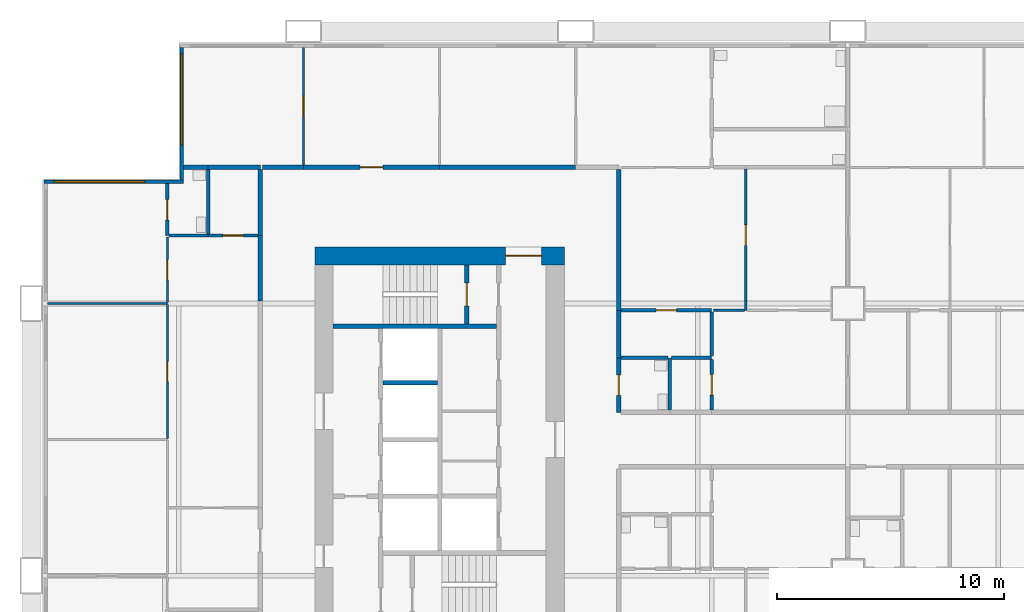
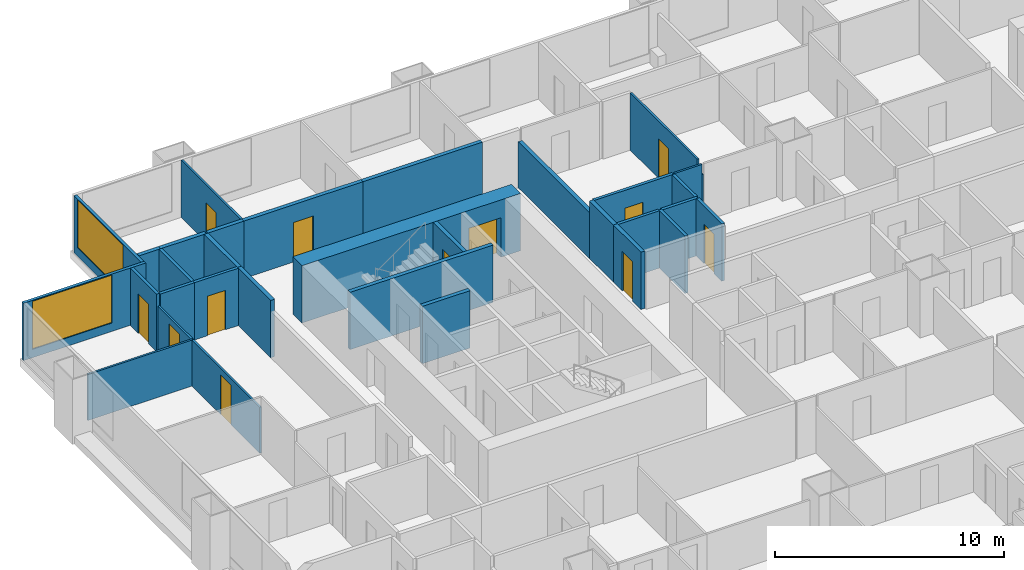
# One storey, part 8 of 14: 33 walls, 12 doors, 2 windows, 14 openings.
"""IFC4 building model written with IfcOpenShell, lengths in metres."""

from ifc_helpers import new_model, si_unit, direction, frame, frame_2d, origin, place, context, subcontext, project, spatial, rectangle, extrude, material, layer, layer_set, type_object, element, fill, save


model = new_model("IFC4")

# Units and contexts
model_context = context("Model", 3, precision=1e-05, world=origin(), true_north=direction((0.0, 1.0)))
body_context = subcontext(model_context, "Body", "Model", "MODEL_VIEW")
ifc_project = project(units=[si_unit("LENGTHUNIT", "METRE"), si_unit("AREAUNIT", "SQUARE_METRE"), si_unit("VOLUMEUNIT", "CUBIC_METRE"), si_unit("PLANEANGLEUNIT", "RADIAN"), si_unit("MASSUNIT", "GRAM", prefix="KILO")], contexts=[model_context])

# Site, building, storey
site_placement = place(None, origin())
site = spatial("IfcSite", under=ifc_project, at=site_placement, CompositionType="ELEMENT")
building_placement = place(site_placement, origin())
building = spatial("IfcBuilding", under=site, at=building_placement, Name="Kitamizu Gate Tower and Museum", CompositionType="ELEMENT")
storey_placement = place(building_placement, frame((0.0, 0.0, 61.050048828125)))
storey = spatial("IfcBuildingStorey", under=building, at=storey_placement, Name="L14", CompositionType="ELEMENT", Elevation=61.050048828125)

# Wall, opening, door
ifc_material_1 = material(Name="Concrete Fc60", Category="concrete")
ifc_layer_1 = layer(ifc_material_1, 0.800048828125)
ifc_layer_set_1 = layer_set([ifc_layer_1], Name="Concrete Fc60")
wall_type_1 = type_object("IfcWallType", Name="Core wall 800", PredefinedType="SHEAR", material=ifc_layer_set_1)
wall_1_placement = place(storey_placement, frame((12.5, 38.10009765625, 0.0), z_axis=(0.0, 0.0, 1.0), x_axis=(1.0, 0.0, 0.0)))
wall_1 = element("IfcWall", 1, at=wall_1_placement, inside=storey, type_object=wall_type_1, Name="Core wall WN", PredefinedType="SHEAR", context=body_context, shape_type="SweptSolid", body=[
    extrude(rectangle(XDim=11.0, YDim=0.800048828125, at=frame_2d((5.5, 0.0))), origin(), (0.0, 0.0, 1.0), 3.050048828125),
])
opening_1_placement = place(wall_1_placement, frame((8.39990234375, 0.0, 0.0)))
opening_1 = element("IfcOpeningElement", 2, at=opening_1_placement, cuts=wall_1, Name="Opening L14-092", PredefinedType="OPENING", context=body_context, shape_type="SweptSolid", body=[
    extrude(rectangle(XDim=1.60009765625, YDim=2.10009765625, at=frame_2d((0.800048828125, 1.050048828125))), frame((0.0, 0.41015625, 0.0), z_axis=(0.0, -1.0, 0.0), x_axis=(1.0, 0.0, 0.0)), (0.0, 0.0, 1.0), 0.820068359375),
])
ifc_material_2 = material(Name="Timber door set", Category="wood")
door_type_1 = type_object("IfcDoorType", Name="Entrance door 1600", OperationType="DOUBLE_DOOR_SINGLE_SWING", PredefinedType="DOOR", material=ifc_material_2)
door_1_placement = place(opening_1_placement, origin())
door_1 = element("IfcDoor", 3, at=door_1_placement, inside=storey, type_object=door_type_1, Name="Lobby door L14-092", OperationType="DOUBLE_DOOR_SINGLE_SWING", OverallHeight=2.10009765625, OverallWidth=1.60009765625, PredefinedType="DOOR", context=body_context, shape_type="SweptSolid", body=[
    extrude(rectangle(XDim=1.60009765625, YDim=2.10009765625, at=frame_2d((0.800048828125, 1.050048828125))), frame((0.0, 0.02490234375, 0.0), z_axis=(0.0, -1.0, 0.0), x_axis=(1.0, 0.0, 0.0)), (0.0, 0.0, 1.0), 0.050048828125),
])
fill(opening_1, door_1)

# Wall
ifc_material_3 = material(Name="Gypsum board on galvanised stud")
ifc_layer_2 = layer(ifc_material_3, 0.10009765625)
ifc_layer_set_2 = layer_set([ifc_layer_2], Name="Gypsum board on galvanised stud")
wall_type_2 = type_object("IfcWallType", Name="Partition 100 NOT RATED", PredefinedType="PARTITIONING", material=ifc_layer_set_2)
wall_2_placement = place(storey_placement, frame((6.0, 36.0, 0.0), z_axis=(0.0, 0.0, 1.0), x_axis=(-1.0, 0.0, 0.0)))
element("IfcWall", 4, at=wall_2_placement, inside=storey, type_object=wall_type_2, Name="Partition L14-134", PredefinedType="PARTITIONING", context=body_context, shape_type="SweptSolid", body=[
    extrude(rectangle(XDim=5.280029296875, YDim=0.10009765625, at=frame_2d((2.64013671875, 0.0))), origin(), (0.0, 0.0, 1.0), 2.449951171875),
])

# Wall, opening, door
wall_3_placement = place(storey_placement, frame((6.0, 30.050048828125, 0.0), z_axis=(0.0, 0.0, 1.0), x_axis=(0.0, 1.0, 0.0)))
wall_3 = element("IfcWall", 5, at=wall_3_placement, inside=storey, type_object=wall_type_2, Name="Partition L14-135", PredefinedType="PARTITIONING", context=body_context, shape_type="SweptSolid", body=[
    extrude(rectangle(XDim=5.89990234375, YDim=0.10009765625, at=frame_2d((2.949951171875, 0.0))), origin(), (0.0, 0.0, 1.0), 2.449951171875),
])
opening_2_placement = place(wall_3_placement, frame((2.5, 0.0, 0.0)))
opening_2 = element("IfcOpeningElement", 6, at=opening_2_placement, cuts=wall_3, Name="Opening L14-050", PredefinedType="OPENING", context=body_context, shape_type="SweptSolid", body=[
    extrude(rectangle(XDim=0.89990234375, YDim=2.10009765625, at=frame_2d((0.449951171875, 1.050048828125))), frame((0.0, 0.06005859375, 0.0), z_axis=(0.0, -1.0, 0.0), x_axis=(1.0, 0.0, 0.0)), (0.0, 0.0, 1.0), 0.1201171875),
])
ifc_material_4 = material(Name="Timber door set", Category="wood")
door_type_2 = type_object("IfcDoorType", Name="Room door 900", OperationType="NOTDEFINED", PredefinedType="DOOR", material=ifc_material_4)
door_2_placement = place(opening_2_placement, origin())
door_2 = element("IfcDoor", 7, at=door_2_placement, inside=storey, type_object=door_type_2, Name="Door L14-050", OperationType="SINGLE_SWING_LEFT", OverallHeight=2.10009765625, OverallWidth=0.89990234375, PredefinedType="DOOR", context=body_context, shape_type="SweptSolid", body=[
    extrude(rectangle(XDim=0.89990234375, YDim=2.10009765625, at=frame_2d((0.449951171875, 1.050048828125))), frame((0.0, 0.02490234375, 0.0), z_axis=(0.0, -1.0, 0.0), x_axis=(1.0, 0.0, 0.0)), (0.0, 0.0, 1.0), 0.050048828125),
])
fill(opening_2, door_2)

wall_4_placement = place(storey_placement, frame((6.0, 36.050048828125, 0.0), z_axis=(0.0, 0.0, 1.0), x_axis=(0.0, 1.0, 0.0)))
wall_4 = element("IfcWall", 8, at=wall_4_placement, inside=storey, type_object=wall_type_2, Name="Partition L14-136", PredefinedType="PARTITIONING", context=body_context, shape_type="SweptSolid", body=[
    extrude(rectangle(XDim=2.875, YDim=0.10009765625, at=frame_2d((1.4375, 0.0))), origin(), (0.0, 0.0, 1.0), 2.449951171875),
])
opening_3_placement = place(wall_4_placement, frame((0.987548828125, 0.0, 0.0)))
opening_3 = element("IfcOpeningElement", 9, at=opening_3_placement, cuts=wall_4, Name="Opening L14-051", PredefinedType="OPENING", context=body_context, shape_type="SweptSolid", body=[
    extrude(rectangle(XDim=0.89990234375, YDim=2.10009765625, at=frame_2d((0.449951171875, 1.050048828125))), frame((0.0, 0.06005859375, 0.0), z_axis=(0.0, -1.0, 0.0), x_axis=(1.0, 0.0, 0.0)), (0.0, 0.0, 1.0), 0.1201171875),
])
door_3_placement = place(opening_3_placement, origin())
door_3 = element("IfcDoor", 10, at=door_3_placement, inside=storey, type_object=door_type_2, Name="Door L14-051", OperationType="SINGLE_SWING_RIGHT", OverallHeight=2.10009765625, OverallWidth=0.89990234375, PredefinedType="DOOR", context=body_context, shape_type="SweptSolid", body=[
    extrude(rectangle(XDim=0.89990234375, YDim=2.10009765625, at=frame_2d((0.449951171875, 1.050048828125))), frame((0.0, 0.02490234375, 0.0), z_axis=(0.0, -1.0, 0.0), x_axis=(1.0, 0.0, 0.0)), (0.0, 0.0, 1.0), 0.050048828125),
])
fill(opening_3, door_3)

wall_5_placement = place(storey_placement, frame((12.0, 42.10009765625, 0.0), z_axis=(0.0, 0.0, 1.0), x_axis=(0.0, 1.0, 0.0)))
wall_5 = element("IfcWall", 11, at=wall_5_placement, inside=storey, type_object=wall_type_2, Name="Partition L14-151", PredefinedType="PARTITIONING", context=body_context, shape_type="SweptSolid", body=[
    extrude(rectangle(XDim=5.179931640625, YDim=0.10009765625, at=frame_2d((2.58984375, 0.0))), origin(), (0.0, 0.0, 1.0), 3.050048828125),
])
opening_4_placement = place(wall_5_placement, frame((2.139892578125, 0.0, 0.0)))
opening_4 = element("IfcOpeningElement", 12, at=opening_4_placement, cuts=wall_5, Name="Opening L14-057", PredefinedType="OPENING", context=body_context, shape_type="SweptSolid", body=[
    extrude(rectangle(XDim=0.89990234375, YDim=2.10009765625, at=frame_2d((0.449951171875, 1.050048828125))), frame((0.0, 0.06005859375, 0.0), z_axis=(0.0, -1.0, 0.0), x_axis=(1.0, 0.0, 0.0)), (0.0, 0.0, 1.0), 0.1201171875),
])
door_4_placement = place(opening_4_placement, origin())
door_4 = element("IfcDoor", 13, at=door_4_placement, inside=storey, type_object=door_type_2, Name="Door L14-057", OperationType="SINGLE_SWING_LEFT", OverallHeight=2.10009765625, OverallWidth=0.89990234375, PredefinedType="DOOR", context=body_context, shape_type="SweptSolid", body=[
    extrude(rectangle(XDim=0.89990234375, YDim=2.10009765625, at=frame_2d((0.449951171875, 1.050048828125))), frame((0.0, 0.02490234375, 0.0), z_axis=(0.0, -1.0, 0.0), x_axis=(1.0, 0.0, 0.0)), (0.0, 0.0, 1.0), 0.050048828125),
])
fill(opening_4, door_4)

# Wall
wall_6_placement = place(storey_placement, frame((31.5, 35.699951171875, 0.0), z_axis=(0.0, 0.0, 1.0), x_axis=(0.0, 1.0, 0.0)))
element("IfcWall", 14, at=wall_6_placement, inside=storey, type_object=wall_type_2, Name="Partition L14-176", PredefinedType="PARTITIONING", context=body_context, shape_type="SweptSolid", body=[
    extrude(rectangle(XDim=0.400146484375, YDim=0.10009765625, at=frame_2d((0.2001953125, 0.0))), origin(), (0.0, 0.0, 1.0), 2.449951171875),
])

# Wall, opening, door
wall_7_placement = place(storey_placement, frame((31.5, 36.10009765625, 0.0), z_axis=(0.0, 0.0, 1.0), x_axis=(0.0, 1.0, 0.0)))
wall_7 = element("IfcWall", 15, at=wall_7_placement, inside=storey, type_object=wall_type_2, Name="Partition L14-177", PredefinedType="PARTITIONING", context=body_context, shape_type="SweptSolid", body=[
    extrude(rectangle(XDim=5.824951171875, YDim=0.10009765625, at=frame_2d((2.91259765625, 0.0))), origin(), (0.0, 0.0, 1.0), 3.050048828125),
])
opening_5_placement = place(wall_7_placement, frame((2.46240234375, 0.0, 0.0)))
opening_5 = element("IfcOpeningElement", 16, at=opening_5_placement, cuts=wall_7, Name="Opening L14-063", PredefinedType="OPENING", context=body_context, shape_type="SweptSolid", body=[
    extrude(rectangle(XDim=0.89990234375, YDim=2.10009765625, at=frame_2d((0.449951171875, 1.050048828125))), frame((0.0, 0.06005859375, 0.0), z_axis=(0.0, -1.0, 0.0), x_axis=(1.0, 0.0, 0.0)), (0.0, 0.0, 1.0), 0.1201171875),
])
door_5_placement = place(opening_5_placement, frame((0.89990234375, 0.0, 0.0), x_axis=(-1.0, 0.0, 0.0)))
door_5 = element("IfcDoor", 17, at=door_5_placement, inside=storey, type_object=door_type_2, Name="Door L14-063", OperationType="SINGLE_SWING_RIGHT", OverallHeight=2.10009765625, OverallWidth=0.89990234375, PredefinedType="DOOR", context=body_context, shape_type="SweptSolid", body=[
    extrude(rectangle(XDim=0.89990234375, YDim=2.10009765625, at=frame_2d((0.449951171875, 1.050048828125))), frame((0.0, 0.02490234375, 0.0), z_axis=(0.0, -1.0, 0.0), x_axis=(1.0, 0.0, 0.0)), (0.0, 0.0, 1.0), 0.050048828125),
])
fill(opening_5, door_5)

# Wall
wall_8_placement = place(storey_placement, frame((30.074951171875, 35.699951171875, 0.0), z_axis=(0.0, 0.0, 1.0), x_axis=(1.0, 0.0, 0.0)))
element("IfcWall", 18, at=wall_8_placement, inside=storey, type_object=wall_type_2, Name="Partition L14-179", PredefinedType="PARTITIONING", context=body_context, shape_type="SweptSolid", body=[
    extrude(rectangle(XDim=1.375, YDim=0.10009765625, at=frame_2d((0.6875, 0.0))), origin(), (0.0, 0.0, 1.0), 3.050048828125),
])

# Wall, opening, door
ifc_material_5 = material(Name="Gypsum board on galvanised stud")
ifc_layer_3 = layer(ifc_material_5, 0.14990234375)
ifc_layer_set_3 = layer_set([ifc_layer_3], Name="Gypsum board on galvanised stud")
wall_type_3 = type_object("IfcWallType", Name="Partition 150", PredefinedType="PARTITIONING", material=ifc_layer_set_3)
wall_9_placement = place(storey_placement, frame((6.0, 39.0, 0.0), z_axis=(0.0, 0.0, 1.0), x_axis=(0.0, 1.0, 0.0)))
wall_9 = element("IfcWall", 19, at=wall_9_placement, inside=storey, type_object=wall_type_3, Name="Partition L14-137", PredefinedType="PARTITIONING", context=body_context, shape_type="SweptSolid", body=[
    extrude(rectangle(XDim=2.280029296875, YDim=0.14990234375, at=frame_2d((1.14013671875, 0.0))), origin(), (0.0, 0.0, 1.0), 3.050048828125),
])
opening_6_placement = place(wall_9_placement, frame((0.68994140625, 0.0, 0.0)))
opening_6 = element("IfcOpeningElement", 20, at=opening_6_placement, cuts=wall_9, Name="Opening L14-054", PredefinedType="OPENING", context=body_context, shape_type="SweptSolid", body=[
    extrude(rectangle(XDim=0.89990234375, YDim=2.10009765625, at=frame_2d((0.449951171875, 1.050048828125))), frame((0.0, 0.0849609375, 0.0), z_axis=(0.0, -1.0, 0.0), x_axis=(1.0, 0.0, 0.0)), (0.0, 0.0, 1.0), 0.169921875),
])
ifc_material_6 = material(Name="Timber door set", Category="wood")
door_type_3 = type_object("IfcDoorType", Name="Bathroom door 900", OperationType="NOTDEFINED", PredefinedType="DOOR", material=ifc_material_6)
door_6_placement = place(opening_6_placement, frame((0.89990234375, 0.0, 0.0), x_axis=(-1.0, 0.0, 0.0)))
door_6 = element("IfcDoor", 21, at=door_6_placement, inside=storey, type_object=door_type_3, Name="Bathroom door L14-054", OperationType="SINGLE_SWING_LEFT", OverallHeight=2.10009765625, OverallWidth=0.89990234375, PredefinedType="DOOR", context=body_context, shape_type="SweptSolid", body=[
    extrude(rectangle(XDim=0.89990234375, YDim=2.10009765625, at=frame_2d((0.449951171875, 1.050048828125))), frame((0.0, 0.02490234375, 0.0), z_axis=(0.0, -1.0, 0.0), x_axis=(1.0, 0.0, 0.0)), (0.0, 0.0, 1.0), 0.050048828125),
])
fill(opening_6, door_6)

# Wall
wall_10_placement = place(storey_placement, frame((7.800048828125, 39.0, 0.0), z_axis=(0.0, 0.0, 1.0), x_axis=(-1.0, 0.0, 0.0)))
element("IfcWall", 22, at=wall_10_placement, inside=storey, type_object=wall_type_3, Name="Partition L14-143", PredefinedType="PARTITIONING", context=body_context, shape_type="SweptSolid", body=[
    extrude(rectangle(XDim=1.72509765625, YDim=0.14990234375, at=frame_2d((0.862548828125, 0.0))), origin(), (0.0, 0.0, 1.0), 3.050048828125),
])

# Wall, opening, door
wall_11_placement = place(storey_placement, frame((10.0, 39.0, 0.0), z_axis=(0.0, 0.0, 1.0), x_axis=(-1.0, 0.0, 0.0)))
wall_11 = element("IfcWall", 23, at=wall_11_placement, inside=storey, type_object=wall_type_3, Name="Partition L14-144", PredefinedType="PARTITIONING", context=body_context, shape_type="SweptSolid", body=[
    extrude(rectangle(XDim=2.199951171875, YDim=0.14990234375, at=frame_2d((1.10009765625, 0.0))), origin(), (0.0, 0.0, 1.0), 3.050048828125),
])
opening_7_placement = place(wall_11_placement, frame((0.64990234375, 0.0, 0.0)))
opening_7 = element("IfcOpeningElement", 24, at=opening_7_placement, cuts=wall_11, Name="Opening L14-055", PredefinedType="OPENING", context=body_context, shape_type="SweptSolid", body=[
    extrude(rectangle(XDim=0.89990234375, YDim=2.10009765625, at=frame_2d((0.449951171875, 1.050048828125))), frame((0.0, 0.0849609375, 0.0), z_axis=(0.0, -1.0, 0.0), x_axis=(1.0, 0.0, 0.0)), (0.0, 0.0, 1.0), 0.169921875),
])
door_7_placement = place(opening_7_placement, frame((0.89990234375, 0.0, 0.0), x_axis=(-1.0, 0.0, 0.0)))
door_7 = element("IfcDoor", 25, at=door_7_placement, inside=storey, type_object=door_type_3, Name="Bathroom door L14-055", OperationType="SINGLE_SWING_RIGHT", OverallHeight=2.10009765625, OverallWidth=0.89990234375, PredefinedType="DOOR", context=body_context, shape_type="SweptSolid", body=[
    extrude(rectangle(XDim=0.89990234375, YDim=2.10009765625, at=frame_2d((0.449951171875, 1.050048828125))), frame((0.0, 0.02490234375, 0.0), z_axis=(0.0, -1.0, 0.0), x_axis=(1.0, 0.0, 0.0)), (0.0, 0.0, 1.0), 0.050048828125),
])
fill(opening_7, door_7)

# Wall
wall_12_placement = place(storey_placement, frame((7.800048828125, 39.074951171875, 0.0), z_axis=(0.0, 0.0, 1.0), x_axis=(0.0, 1.0, 0.0)))
element("IfcWall", 26, at=wall_12_placement, inside=storey, type_object=wall_type_3, Name="Partition L14-147", PredefinedType="PARTITIONING", context=body_context, shape_type="SweptSolid", body=[
    extrude(rectangle(XDim=2.824951171875, YDim=0.14990234375, at=frame_2d((1.41259765625, 0.0))), origin(), (0.0, 0.0, 1.0), 3.050048828125),
])

# Wall, opening, door
wall_13_placement = place(storey_placement, frame((26.0, 35.699951171875, 0.0), z_axis=(0.0, 0.0, 1.0), x_axis=(1.0, 0.0, 0.0)))
wall_13 = element("IfcWall", 27, at=wall_13_placement, inside=storey, type_object=wall_type_3, Name="Partition L14-178", PredefinedType="PARTITIONING", context=body_context, shape_type="SweptSolid", body=[
    extrude(rectangle(XDim=4.0, YDim=0.14990234375, at=frame_2d((2.0, 0.0))), origin(), (0.0, 0.0, 1.0), 3.050048828125),
])
opening_8_placement = place(wall_13_placement, frame((1.550048828125, 0.0, 0.0)))
opening_8 = element("IfcOpeningElement", 28, at=opening_8_placement, cuts=wall_13, Name="Opening L14-064", PredefinedType="OPENING", context=body_context, shape_type="SweptSolid", body=[
    extrude(rectangle(XDim=0.89990234375, YDim=2.10009765625, at=frame_2d((0.449951171875, 1.050048828125))), frame((0.0, 0.0849609375, 0.0), z_axis=(0.0, -1.0, 0.0), x_axis=(1.0, 0.0, 0.0)), (0.0, 0.0, 1.0), 0.169921875),
])
door_8_placement = place(opening_8_placement, frame((0.89990234375, 0.0, 0.0), x_axis=(-1.0, 0.0, 0.0)))
door_8 = element("IfcDoor", 29, at=door_8_placement, inside=storey, type_object=door_type_3, Name="Bathroom door L14-064", OperationType="SINGLE_SWING_LEFT", OverallHeight=2.10009765625, OverallWidth=0.89990234375, PredefinedType="DOOR", context=body_context, shape_type="SweptSolid", body=[
    extrude(rectangle(XDim=0.89990234375, YDim=2.10009765625, at=frame_2d((0.449951171875, 1.050048828125))), frame((0.0, 0.02490234375, 0.0), z_axis=(0.0, -1.0, 0.0), x_axis=(1.0, 0.0, 0.0)), (0.0, 0.0, 1.0), 0.050048828125),
])
fill(opening_8, door_8)

# Walls
wall_14_placement = place(storey_placement, frame((28.14990234375, 31.300048828125, 0.0), z_axis=(0.0, 0.0, 1.0), x_axis=(0.0, 1.0, 0.0)))
element("IfcWall", 30, at=wall_14_placement, inside=storey, type_object=wall_type_3, Name="Partition L14-183", PredefinedType="PARTITIONING", context=body_context, shape_type="SweptSolid", body=[
    extrude(rectangle(XDim=2.300048828125, YDim=0.14990234375, at=frame_2d((1.14990234375, 0.0))), origin(), (0.0, 0.0, 1.0), 3.050048828125),
])
wall_15_placement = place(storey_placement, frame((28.074951171875, 33.60009765625, 0.0), z_axis=(0.0, 0.0, 1.0), x_axis=(-1.0, 0.0, 0.0)))
element("IfcWall", 31, at=wall_15_placement, inside=storey, type_object=wall_type_3, Name="Partition L14-184", PredefinedType="PARTITIONING", context=body_context, shape_type="SweptSolid", body=[
    extrude(rectangle(XDim=2.074951171875, YDim=0.14990234375, at=frame_2d((1.03759765625, 0.0))), origin(), (0.0, 0.0, 1.0), 3.050048828125),
])
wall_16_placement = place(storey_placement, frame((30.0, 33.60009765625, 0.0), z_axis=(0.0, 0.0, 1.0), x_axis=(-1.0, 0.0, 0.0)))
element("IfcWall", 32, at=wall_16_placement, inside=storey, type_object=wall_type_3, Name="Partition L14-187", PredefinedType="PARTITIONING", context=body_context, shape_type="SweptSolid", body=[
    extrude(rectangle(XDim=1.77490234375, YDim=0.14990234375, at=frame_2d((0.887451171875, 0.0))), origin(), (0.0, 0.0, 1.0), 3.050048828125),
])

# Wall, opening, door
wall_17_placement = place(storey_placement, frame((30.0, 31.300048828125, 0.0), z_axis=(0.0, 0.0, 1.0), x_axis=(0.0, 1.0, 0.0)))
wall_17 = element("IfcWall", 33, at=wall_17_placement, inside=storey, type_object=wall_type_3, Name="Partition L14-188", PredefinedType="PARTITIONING", context=body_context, shape_type="SweptSolid", body=[
    extrude(rectangle(XDim=2.224853515625, YDim=0.14990234375, at=frame_2d((1.1123046875, 0.0))), origin(), (0.0, 0.0, 1.0), 3.050048828125),
])
opening_9_placement = place(wall_17_placement, frame((0.66259765625, 0.0, 0.0)))
opening_9 = element("IfcOpeningElement", 34, at=opening_9_placement, cuts=wall_17, Name="Opening L14-075", PredefinedType="OPENING", context=body_context, shape_type="SweptSolid", body=[
    extrude(rectangle(XDim=0.89990234375, YDim=2.10009765625, at=frame_2d((0.449951171875, 1.050048828125))), frame((0.0, 0.0849609375, 0.0), z_axis=(0.0, -1.0, 0.0), x_axis=(1.0, 0.0, 0.0)), (0.0, 0.0, 1.0), 0.169921875),
])
door_9_placement = place(opening_9_placement, origin())
door_9 = element("IfcDoor", 35, at=door_9_placement, inside=storey, type_object=door_type_3, Name="Bathroom door L14-075", OperationType="SINGLE_SWING_RIGHT", OverallHeight=2.10009765625, OverallWidth=0.89990234375, PredefinedType="DOOR", context=body_context, shape_type="SweptSolid", body=[
    extrude(rectangle(XDim=0.89990234375, YDim=2.10009765625, at=frame_2d((0.449951171875, 1.050048828125))), frame((0.0, 0.02490234375, 0.0), z_axis=(0.0, -1.0, 0.0), x_axis=(1.0, 0.0, 0.0)), (0.0, 0.0, 1.0), 0.050048828125),
])
fill(opening_9, door_9)

# Walls
wall_18_placement = place(storey_placement, frame((30.0, 33.675048828125, 0.0), z_axis=(0.0, 0.0, 1.0), x_axis=(0.0, 1.0, 0.0)))
element("IfcWall", 36, at=wall_18_placement, inside=storey, type_object=wall_type_3, Name="Partition L14-190", PredefinedType="PARTITIONING", context=body_context, shape_type="SweptSolid", body=[
    extrude(rectangle(XDim=1.949951171875, YDim=0.14990234375, at=frame_2d((0.97509765625, 0.0))), origin(), (0.0, 0.0, 1.0), 3.050048828125),
])
ifc_material_7 = material(Name="Gypsum board on galvanised stud")
ifc_layer_4 = layer(ifc_material_7, 0.199951171875)
ifc_layer_set_4 = layer_set([ifc_layer_4], Name="Gypsum board on galvanised stud")
wall_type_4 = type_object("IfcWallType", Name="Partition 200", PredefinedType="PARTITIONING", material=ifc_layer_set_4)
wall_19_placement = place(storey_placement, frame((10.10009765625, 36.10009765625, 0.0), z_axis=(0.0, 0.0, 1.0), x_axis=(0.0, 1.0, 0.0)))
element("IfcWall", 37, at=wall_19_placement, inside=storey, type_object=wall_type_4, Name="Partition L14-146", PredefinedType="PARTITIONING", context=body_context, shape_type="SweptSolid", body=[
    extrude(rectangle(XDim=2.89990234375, YDim=0.199951171875, at=frame_2d((1.449951171875, 0.0))), origin(), (0.0, 0.0, 1.0), 3.050048828125),
])
wall_20_placement = place(storey_placement, frame((7.800048828125, 42.0, 0.0), z_axis=(0.0, 0.0, 1.0), x_axis=(-1.0, 0.0, 0.0)))
element("IfcWall", 38, at=wall_20_placement, inside=storey, type_object=wall_type_4, Name="Partition L14-148", PredefinedType="PARTITIONING", context=body_context, shape_type="SweptSolid", body=[
    extrude(rectangle(XDim=1.080078125, YDim=0.199951171875, at=frame_2d((0.5400390625, 0.0))), origin(), (0.0, 0.0, 1.0), 3.050048828125),
])
wall_21_placement = place(storey_placement, frame((10.10009765625, 42.0, 0.0), z_axis=(0.0, 0.0, 1.0), x_axis=(-1.0, 0.0, 0.0)))
element("IfcWall", 39, at=wall_21_placement, inside=storey, type_object=wall_type_4, Name="Partition L14-149", PredefinedType="PARTITIONING", context=body_context, shape_type="SweptSolid", body=[
    extrude(rectangle(XDim=2.300048828125, YDim=0.199951171875, at=frame_2d((1.14990234375, 0.0))), origin(), (0.0, 0.0, 1.0), 3.050048828125),
])
wall_22_placement = place(storey_placement, frame((10.10009765625, 39.0, 0.0), z_axis=(0.0, 0.0, 1.0), x_axis=(0.0, 1.0, 0.0)))
element("IfcWall", 40, at=wall_22_placement, inside=storey, type_object=wall_type_4, Name="Partition L14-150", PredefinedType="PARTITIONING", context=body_context, shape_type="SweptSolid", body=[
    extrude(rectangle(XDim=2.89990234375, YDim=0.199951171875, at=frame_2d((1.449951171875, 0.0))), origin(), (0.0, 0.0, 1.0), 3.050048828125),
])
wall_23_placement = place(storey_placement, frame((10.199951171875, 42.0, 0.0), z_axis=(0.0, 0.0, 1.0), x_axis=(1.0, 0.0, 0.0)))
element("IfcWall", 41, at=wall_23_placement, inside=storey, type_object=wall_type_4, Name="Partition L14-152", PredefinedType="PARTITIONING", context=body_context, shape_type="SweptSolid", body=[
    extrude(rectangle(XDim=1.800048828125, YDim=0.199951171875, at=frame_2d((0.89990234375, 0.0))), origin(), (0.0, 0.0, 1.0), 3.050048828125),
])

# Wall, opening, door
wall_24_placement = place(storey_placement, frame((12.0, 42.0, 0.0), z_axis=(0.0, 0.0, 1.0), x_axis=(1.0, 0.0, 0.0)))
wall_24 = element("IfcWall", 42, at=wall_24_placement, inside=storey, type_object=wall_type_4, Name="Partition L14-154", PredefinedType="PARTITIONING", context=body_context, shape_type="SweptSolid", body=[
    extrude(rectangle(XDim=6.0, YDim=0.199951171875, at=frame_2d((3.0, 0.0))), origin(), (0.0, 0.0, 1.0), 3.050048828125),
])
opening_10_placement = place(wall_24_placement, frame((2.5, 0.0, 0.0)))
opening_10 = element("IfcOpeningElement", 43, at=opening_10_placement, cuts=wall_24, Name="Opening L14-056", PredefinedType="OPENING", context=body_context, shape_type="SweptSolid", body=[
    extrude(rectangle(XDim=1.0, YDim=2.10009765625, at=frame_2d((0.5, 1.050048828125))), frame((0.0, 0.10986328125, 0.0), z_axis=(0.0, -1.0, 0.0), x_axis=(1.0, 0.0, 0.0)), (0.0, 0.0, 1.0), 0.219970703125),
])
ifc_material_8 = material(Name="Timber door set", Category="wood")
door_type_4 = type_object("IfcDoorType", Name="Flat entrance door 1000", OperationType="NOTDEFINED", PredefinedType="DOOR", material=ifc_material_8)
door_10_placement = place(opening_10_placement, origin())
door_10 = element("IfcDoor", 44, at=door_10_placement, inside=storey, type_object=door_type_4, Name="Flat entrance door L14-056", OperationType="SINGLE_SWING_RIGHT", OverallHeight=2.10009765625, OverallWidth=1.0, PredefinedType="DOOR", context=body_context, shape_type="SweptSolid", body=[
    extrude(rectangle(XDim=1.0, YDim=2.10009765625, at=frame_2d((0.5, 1.050048828125))), frame((0.0, 0.02490234375, 0.0), z_axis=(0.0, -1.0, 0.0), x_axis=(1.0, 0.0, 0.0)), (0.0, 0.0, 1.0), 0.050048828125),
])
fill(opening_10, door_10)

# Walls
wall_25_placement = place(storey_placement, frame((18.0, 42.0, 0.0), z_axis=(0.0, 0.0, 1.0), x_axis=(1.0, 0.0, 0.0)))
element("IfcWall", 45, at=wall_25_placement, inside=storey, type_object=wall_type_4, Name="Partition L14-156", PredefinedType="PARTITIONING", context=body_context, shape_type="SweptSolid", body=[
    extrude(rectangle(XDim=6.0, YDim=0.199951171875, at=frame_2d((3.0, 0.0))), origin(), (0.0, 0.0, 1.0), 3.050048828125),
])
wall_26_placement = place(storey_placement, frame((25.89990234375, 41.89990234375, 0.0), z_axis=(0.0, 0.0, 1.0), x_axis=(0.0, -1.0, 0.0)))
element("IfcWall", 46, at=wall_26_placement, inside=storey, type_object=wall_type_4, Name="Partition L14-180", PredefinedType="PARTITIONING", context=body_context, shape_type="SweptSolid", body=[
    extrude(rectangle(XDim=6.199951171875, YDim=0.199951171875, at=frame_2d((3.10009765625, 0.0))), origin(), (0.0, 0.0, 1.0), 2.449951171875),
])

# Wall, opening, door
wall_27_placement = place(storey_placement, frame((25.89990234375, 33.60009765625, 0.0), z_axis=(0.0, 0.0, 1.0), x_axis=(0.0, -1.0, 0.0)))
wall_27 = element("IfcWall", 47, at=wall_27_placement, inside=storey, type_object=wall_type_4, Name="Partition L14-185", PredefinedType="PARTITIONING", context=body_context, shape_type="SweptSolid", body=[
    extrude(rectangle(XDim=2.400146484375, YDim=0.199951171875, at=frame_2d((1.2001953125, 0.0))), origin(), (0.0, 0.0, 1.0), 3.050048828125),
])
opening_11_placement = place(wall_27_placement, frame((0.75, 0.0, 0.0)))
opening_11 = element("IfcOpeningElement", 48, at=opening_11_placement, cuts=wall_27, Name="Opening L14-076", PredefinedType="OPENING", context=body_context, shape_type="SweptSolid", body=[
    extrude(rectangle(XDim=0.89990234375, YDim=2.10009765625, at=frame_2d((0.449951171875, 1.050048828125))), frame((0.0, 0.10986328125, 0.0), z_axis=(0.0, -1.0, 0.0), x_axis=(1.0, 0.0, 0.0)), (0.0, 0.0, 1.0), 0.219970703125),
])
ifc_material_9 = material(Name="Timber door set", Category="wood")
door_type_5 = type_object("IfcDoorType", Name="Store door 900", OperationType="NOTDEFINED", PredefinedType="DOOR", material=ifc_material_9)
door_11_placement = place(opening_11_placement, origin())
door_11 = element("IfcDoor", 49, at=door_11_placement, inside=storey, type_object=door_type_5, Name="Service entrance door L14-076", OperationType="SINGLE_SWING_LEFT", OverallHeight=2.10009765625, OverallWidth=0.89990234375, PredefinedType="DOOR", context=body_context, shape_type="SweptSolid", body=[
    extrude(rectangle(XDim=0.89990234375, YDim=2.10009765625, at=frame_2d((0.449951171875, 1.050048828125))), frame((0.0, 0.02490234375, 0.0), z_axis=(0.0, -1.0, 0.0), x_axis=(1.0, 0.0, 0.0)), (0.0, 0.0, 1.0), 0.050048828125),
])
fill(opening_11, door_11)

# Walls
wall_28_placement = place(storey_placement, frame((25.89990234375, 35.699951171875, 0.0), z_axis=(0.0, 0.0, 1.0), x_axis=(0.0, -1.0, 0.0)))
element("IfcWall", 50, at=wall_28_placement, inside=storey, type_object=wall_type_4, Name="Partition L14-191", PredefinedType="PARTITIONING", context=body_context, shape_type="SweptSolid", body=[
    extrude(rectangle(XDim=2.099853515625, YDim=0.199951171875, at=frame_2d((1.0498046875, 0.0))), origin(), (0.0, 0.0, 1.0), 3.050048828125),
])
ifc_material_10 = material(Name="Concrete Fc42", Category="concrete")
ifc_layer_5 = layer(ifc_material_10, 0.199951171875)
ifc_layer_set_5 = layer_set([ifc_layer_5], Name="Concrete Fc42")
wall_type_5 = type_object("IfcWallType", Name="Shaft wall 200", PredefinedType="SOLIDWALL", material=ifc_layer_set_5)
wall_29_placement = place(storey_placement, frame((13.300048828125, 35.0, 0.0), z_axis=(0.0, 0.0, 1.0), x_axis=(1.0, 0.0, 0.0)))
element("IfcWall", 51, at=wall_29_placement, inside=storey, type_object=wall_type_5, Name="Shaft wall WNB", PredefinedType="SOLIDWALL", context=body_context, shape_type="SweptSolid", body=[
    extrude(rectangle(XDim=7.199951171875, YDim=0.199951171875, at=frame_2d((3.60009765625, 0.0))), origin(), (0.0, 0.0, 1.0), 3.050048828125),
])

# Wall, opening, door
wall_30_placement = place(storey_placement, frame((19.199951171875, 35.10009765625, 0.0), z_axis=(0.0, 0.0, 1.0), x_axis=(0.0, 1.0, 0.0)))
wall_30 = element("IfcWall", 52, at=wall_30_placement, inside=storey, type_object=wall_type_5, Name="Shaft wall WNZ", PredefinedType="SOLIDWALL", context=body_context, shape_type="SweptSolid", body=[
    extrude(rectangle(XDim=2.599853515625, YDim=0.199951171875, at=frame_2d((1.2998046875, 0.0))), origin(), (0.0, 0.0, 1.0), 3.050048828125),
])
opening_12_placement = place(wall_30_placement, frame((0.800048828125, 0.0, 0.0)))
opening_12 = element("IfcOpeningElement", 53, at=opening_12_placement, cuts=wall_30, Name="Opening L14-088", PredefinedType="OPENING", context=body_context, shape_type="SweptSolid", body=[
    extrude(rectangle(XDim=1.0, YDim=2.10009765625, at=frame_2d((0.5, 1.050048828125))), frame((0.0, 0.10986328125, 0.0), z_axis=(0.0, -1.0, 0.0), x_axis=(1.0, 0.0, 0.0)), (0.0, 0.0, 1.0), 0.219970703125),
])
ifc_material_11 = material(Name="Hollow metal door set")
door_type_6 = type_object("IfcDoorType", Name="Fire door 1000", OperationType="NOTDEFINED", PredefinedType="DOOR", material=ifc_material_11)
door_12_placement = place(opening_12_placement, origin())
door_12 = element("IfcDoor", 54, at=door_12_placement, inside=storey, type_object=door_type_6, Name="Stair door L14-088", OperationType="SINGLE_SWING_LEFT", OverallHeight=2.10009765625, OverallWidth=1.0, PredefinedType="DOOR", context=body_context, shape_type="SweptSolid", body=[
    extrude(rectangle(XDim=1.0, YDim=2.10009765625, at=frame_2d((0.5, 1.050048828125))), frame((0.0, 0.02490234375, 0.0), z_axis=(0.0, -1.0, 0.0), x_axis=(1.0, 0.0, 0.0)), (0.0, 0.0, 1.0), 0.050048828125),
])
fill(opening_12, door_12)

# Wall
wall_31_placement = place(storey_placement, frame((15.5, 32.5, 0.0), z_axis=(0.0, 0.0, 1.0), x_axis=(1.0, 0.0, 0.0)))
element("IfcWall", 55, at=wall_31_placement, inside=storey, type_object=wall_type_5, Name="Shaft wall WDVW2", PredefinedType="SOLIDWALL", context=body_context, shape_type="SweptSolid", body=[
    extrude(rectangle(XDim=2.39990234375, YDim=0.199951171875, at=frame_2d((1.199951171875, 0.0))), origin(), (0.0, 0.0, 1.0), 3.050048828125),
])

# Wall, opening, window
ifc_material_12 = material(Name="Bronze anodised aluminium frame with insulated spandrel and tinted glass", Category="aluminium")
ifc_layer_6 = layer(ifc_material_12, 0.14990234375)
ifc_layer_set_6 = layer_set([ifc_layer_6], Name="Bronze anodised aluminium frame with insulated spandrel and tinted glass")
wall_type_6 = type_object("IfcWallType", Name="WINDOW WALL 150 BRONZE FRAME EI 30", PredefinedType="ELEMENTEDWALL", material=ifc_layer_set_6)
wall_32_placement = place(storey_placement, frame((6.635009765625, 41.43994140625, 0.0), z_axis=(0.0, 0.0, 1.0), x_axis=(0.0, 1.0, 0.0)))
wall_32 = element("IfcWall", 56, at=wall_32_placement, inside=storey, type_object=wall_type_6, Name="Window wall west L14", PredefinedType="ELEMENTEDWALL", context=body_context, shape_type="SweptSolid", body=[
    extrude(rectangle(XDim=5.85009765625, YDim=0.14990234375, at=frame_2d((2.925048828125, 0.0))), origin(), (0.0, 0.0, 1.0), 3.050048828125),
])
opening_13_placement = place(wall_32_placement, frame((1.56005859375, 0.0, 0.449951171875)))
opening_13 = element("IfcOpeningElement", 57, at=opening_13_placement, cuts=wall_32, Name="Opening W16", PredefinedType="OPENING", context=body_context, shape_type="SweptSolid", body=[
    extrude(rectangle(XDim=4.0, YDim=2.550048828125, at=frame_2d((2.0, 1.27490234375))), frame((0.0, 0.0849609375, 0.0), z_axis=(0.0, -1.0, 0.0), x_axis=(1.0, 0.0, 0.0)), (0.0, 0.0, 1.0), 0.169921875),
])
ifc_material_13 = material(Name="Bronze anodised aluminium frame, tinted triple glazing", Category="aluminium")
window_type = type_object("IfcWindowType", Name="WINDOW 4000 x 2550 SILL 450", PartitioningType="SINGLE_PANEL", PredefinedType="WINDOW", material=ifc_material_13)
window_1_placement = place(opening_13_placement, origin())
window_1 = element("IfcWindow", 58, at=window_1_placement, inside=storey, type_object=window_type, Name="Window W16 L14", OverallHeight=2.550048828125, OverallWidth=4.0, PartitioningType="SINGLE_PANEL", PredefinedType="WINDOW", context=body_context, shape_type="SweptSolid", body=[
    extrude(rectangle(XDim=4.0, YDim=2.550048828125, at=frame_2d((2.0, 1.27490234375))), frame((0.0, 0.030029296875, 0.0), z_axis=(0.0, -1.0, 0.0), x_axis=(1.0, 0.0, 0.0)), (0.0, 0.0, 1.0), 0.06005859375),
])
fill(opening_13, window_1)

wall_33_placement = place(storey_placement, frame((0.56005859375, 41.364990234375, 0.0), z_axis=(0.0, 0.0, 1.0), x_axis=(1.0, 0.0, 0.0)))
wall_33 = element("IfcWall", 59, at=wall_33_placement, inside=storey, type_object=wall_type_6, Name="Window wall north L14", PredefinedType="ELEMENTEDWALL", context=body_context, shape_type="SweptSolid", body=[
    extrude(rectangle(XDim=6.14990234375, YDim=0.14990234375, at=frame_2d((3.074951171875, 0.0))), origin(), (0.0, 0.0, 1.0), 3.050048828125),
])
opening_14_placement = place(wall_33_placement, frame((0.43994140625, 0.0, 0.449951171875)))
opening_14 = element("IfcOpeningElement", 60, at=opening_14_placement, cuts=wall_33, Name="Opening W16", PredefinedType="OPENING", context=body_context, shape_type="SweptSolid", body=[
    extrude(rectangle(XDim=4.0, YDim=2.550048828125, at=frame_2d((2.0, 1.27490234375))), frame((0.0, 0.0849609375, 0.0), z_axis=(0.0, -1.0, 0.0), x_axis=(1.0, 0.0, 0.0)), (0.0, 0.0, 1.0), 0.169921875),
])
window_2_placement = place(opening_14_placement, origin())
window_2 = element("IfcWindow", 61, at=window_2_placement, inside=storey, type_object=window_type, Name="Window W16 L14", OverallHeight=2.550048828125, OverallWidth=4.0, PartitioningType="SINGLE_PANEL", PredefinedType="WINDOW", context=body_context, shape_type="SweptSolid", body=[
    extrude(rectangle(XDim=4.0, YDim=2.550048828125, at=frame_2d((2.0, 1.27490234375))), frame((0.0, 0.030029296875, 0.0), z_axis=(0.0, -1.0, 0.0), x_axis=(1.0, 0.0, 0.0)), (0.0, 0.0, 1.0), 0.06005859375),
])
fill(opening_14, window_2)

save(model, "model.ifc")
